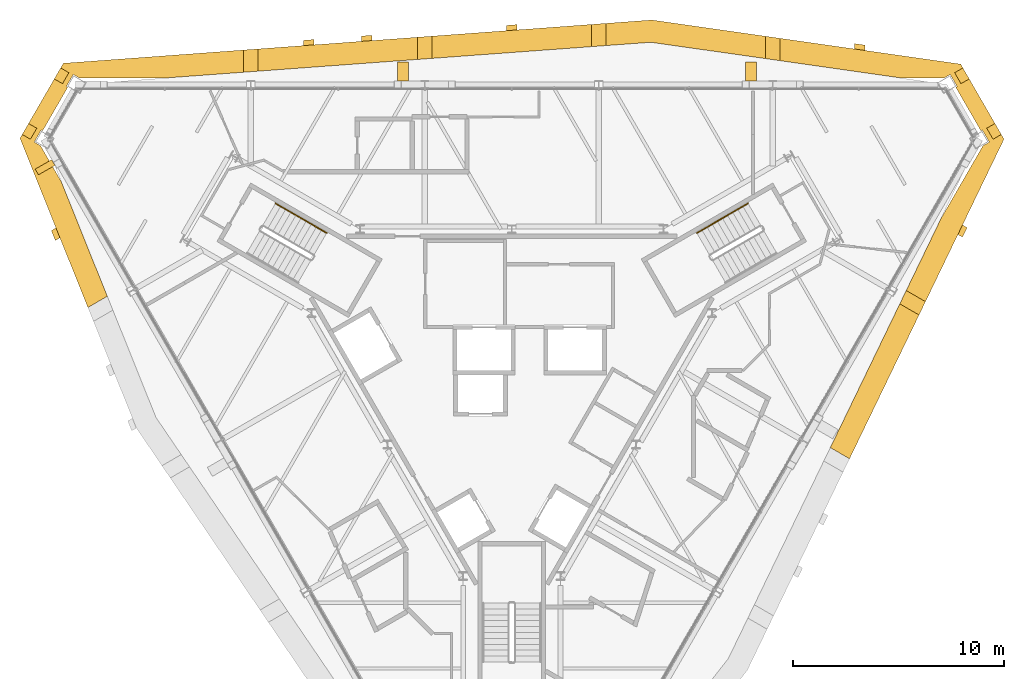
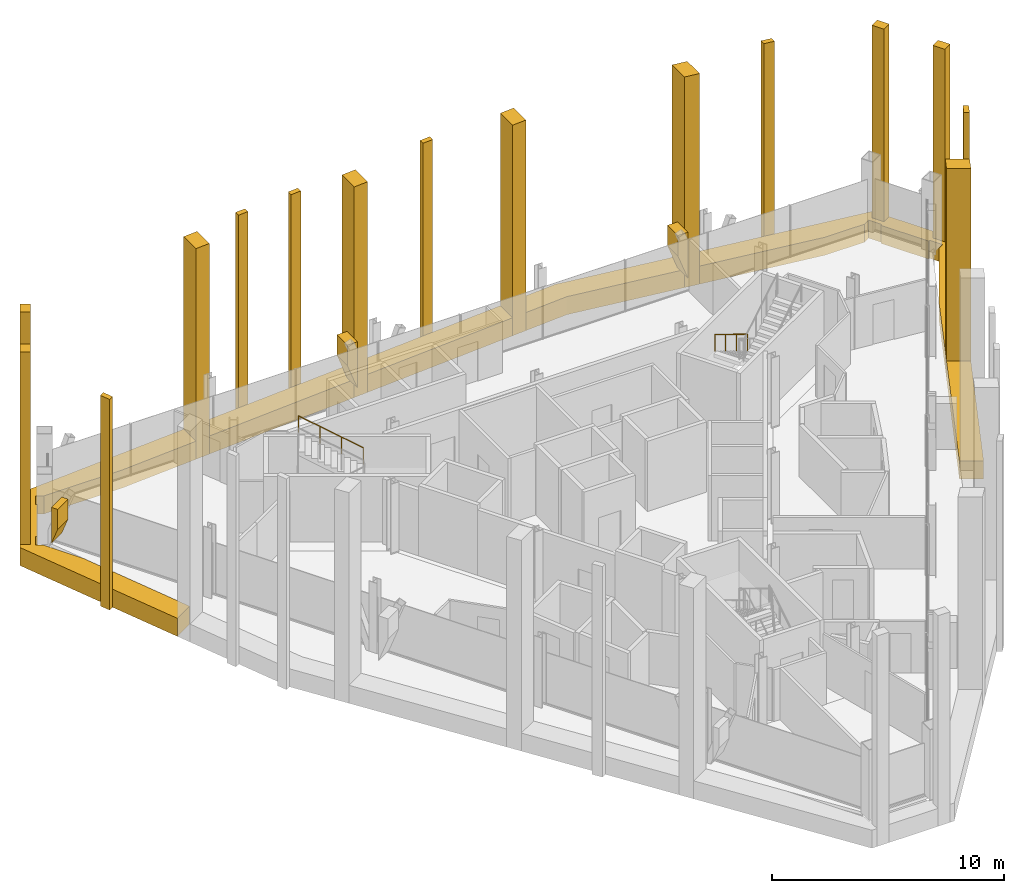
# One storey, part 12 of 12: 24 coverings, 2 railings.
"""IFC4 building model written with IfcOpenShell, lengths in metres."""

from ifc_helpers import new_model, si_unit, direction, frame, origin, origin_2d, place, context, subcontext, project, spatial, polyline, circle, outline, extrude, material, layer, layer_set, type_object, element, save


model = new_model("IFC4")

# Units and contexts
model_context = context("Model", 3, precision=1e-05, world=origin(), true_north=direction((0.0, 1.0)))
body_context = subcontext(model_context, "Body", "Model", "MODEL_VIEW")
ifc_project = project(units=[si_unit("LENGTHUNIT", "METRE"), si_unit("AREAUNIT", "SQUARE_METRE"), si_unit("VOLUMEUNIT", "CUBIC_METRE"), si_unit("PLANEANGLEUNIT", "RADIAN"), si_unit("MASSUNIT", "GRAM", prefix="KILO")], contexts=[model_context])

# Site, building, storey
site_placement = place(None, origin())
site = spatial("IfcSite", under=ifc_project, at=site_placement, CompositionType="ELEMENT")
building_placement = place(site_placement, origin())
building = spatial("IfcBuilding", under=site, at=building_placement, Name="Verrane Prism Tower", CompositionType="ELEMENT")
storey_placement = place(building_placement, frame((0.0, 0.0, 264.0)))
storey = spatial("IfcBuildingStorey", under=building, at=storey_placement, Name="L66", CompositionType="ELEMENT", Elevation=264.0)

# Railings
ifc_material_1 = material(Name="Steel A36 tube", Category="steel")
railing_type = type_object("IfcRailingType", Name="Stair handrail 900 steel tube", PredefinedType="HANDRAIL", material=ifc_material_1)
railing_1_placement = place(storey_placement, frame((11.189453125, 8.01904296875, 0.168212890625)))
element("IfcRailing", 1, at=railing_1_placement, inside=storey, type_object=railing_type, Name="Stair 1 handrail", PredefinedType="HANDRAIL", context=body_context, shape_type="SweptSolid", body=[
    extrude(circle(Radius=0.02392578125, at=origin_2d()), frame((0.0, 0.0, 0.8759765625), z_axis=(-0.742390482028, -0.42860119049, 0.514934356695), x_axis=(0.49998411664, -0.866034573852, 0.0)), (0.0, 0.0, 1.0), 3.26611328125),
    extrude(circle(Radius=0.02099609375, at=origin_2d()), origin(), (0.0, 0.0, 1.0), 0.851806640625),
    extrude(circle(Radius=0.02099609375, at=origin_2d()), frame((-0.808349609375, -0.466552734375, 0.560546875)), (0.0, 0.0, 1.0), 0.851806640625),
    extrude(circle(Radius=0.02099609375, at=origin_2d()), frame((-1.616455078125, -0.933349609375, 1.121337890625)), (0.0, 0.0, 1.0), 0.851806640625),
    extrude(circle(Radius=0.02099609375, at=origin_2d()), frame((-2.4248046875, -1.39990234375, 1.681884765625)), (0.0, 0.0, 1.0), 0.851806640625),
])
railing_2_placement = place(storey_placement, frame((-8.7646484375, 6.619140625, 2.01806640625)))
element("IfcRailing", 2, at=railing_2_placement, inside=storey, type_object=railing_type, Name="Stair 2 handrail", PredefinedType="HANDRAIL", context=body_context, shape_type="SweptSolid", body=[
    extrude(circle(Radius=0.02392578125, at=origin_2d()), frame((0.0, 0.0, 0.8759765625), z_axis=(-0.742390482028, 0.42860119049, 0.514934356695), x_axis=(-0.49998411664, -0.866034573852, 0.0)), (0.0, 0.0, 1.0), 3.26611328125),
    extrude(circle(Radius=0.02099609375, at=origin_2d()), origin(), (0.0, 0.0, 1.0), 0.851806640625),
    extrude(circle(Radius=0.02099609375, at=origin_2d()), frame((-0.808349609375, 0.466552734375, 0.560546875)), (0.0, 0.0, 1.0), 0.851806640625),
    extrude(circle(Radius=0.02099609375, at=origin_2d()), frame((-1.616455078125, 0.933349609375, 1.121337890625)), (0.0, 0.0, 1.0), 0.851806640625),
    extrude(circle(Radius=0.02099609375, at=origin_2d()), frame((-2.4248046875, 1.39990234375, 1.681884765625)), (0.0, 0.0, 1.0), 0.851806640625),
])

# Coverings
ifc_material_2 = material(Name="Warm limestone cladding", Category="masonry")
ifc_layer_1 = layer(ifc_material_2, 0.89990234375)
ifc_layer_set_1 = layer_set([ifc_layer_1], Name="Stone brace fin 900")
covering_type_1 = type_object("IfcCoveringType", Name="Stone brace fin 900", PredefinedType="CLADDING", material=ifc_layer_set_1)
for number, where, z_axis, x_axis, name in (
    (3, (11.5869140625, 14.27783203125, 0.32080078125), (0.0, 0.0, 1.0), (-1.0, 0.0, 0.0), "Stone brace fin N2 L66"),
    (4, (-4.89306640625, 14.27783203125, 0.32080078125), (0.0, 0.0, 1.0), (-1.0, 0.0, 0.0), "Stone brace fin N4 L66"),
):
    element("IfcCovering", number, at=place(storey_placement, frame(where, z_axis=z_axis, x_axis=x_axis)), inside=storey, type_object=covering_type_1, Name=name, PredefinedType="CLADDING", context=body_context, shape_type="SweptSolid", body=[
        extrude(outline(polyline([(0.5068359375, 2.42919921875), (0.0, 2.42919921875), (0.0, 0.0), (0.5068359375, 1.365478515625), (0.5068359375, 2.42919921875)])), frame((0.0, 0.449951171875, 0.0), z_axis=(0.0, -1.0, 0.0), x_axis=(1.0, 0.0, 0.0)), (0.0, 0.0, 1.0), 0.89990234375),
    ])
covering_1_placement = place(storey_placement, frame((-22.1796875, 9.867431640625, 0.846435546875), z_axis=(0.0, 0.0, 1.0), x_axis=(0.499338456923, -0.866407009112, 0.0)))
element("IfcCovering", 5, at=covering_1_placement, inside=storey, type_object=covering_type_1, Name="Stone brace fin SW1 L66", PredefinedType="CLADDING", context=body_context, shape_type="SweptSolid", body=[
    extrude(outline(polyline([(0.31201171875, 1.903564453125), (0.0, 1.903564453125), (0.0, 0.0), (0.31201171875, 0.84033203125), (0.31201171875, 1.903564453125)])), frame((0.0, 0.449951171875, 0.0), z_axis=(0.0, -1.0, 0.0), x_axis=(1.0, 0.0, 0.0)), (0.0, 0.0, 1.0), 0.89990234375),
])
ifc_material_3 = material(Name="Warm limestone cladding", Category="masonry")
covering_type_2 = type_object("IfcCoveringType", Name="Stone corner pier 600", PredefinedType="CLADDING", material=ifc_material_3)
covering_2_placement = place(storey_placement, frame((0.0, 0.0, -0.949951171875)))
element("IfcCovering", 6, at=covering_2_placement, inside=storey, type_object=covering_type_2, Name="Stone pier MC-NE.a L66-L68", PredefinedType="CLADDING", context=body_context, shape_type="SweptSolid", body=[
    extrude(outline(polyline([(22.4931640625, 11.578857421875), (22.5087890625, 11.5517578125), (22.793212890625, 11.05908203125), (23.182861328125, 11.2841796875), (22.8828125, 11.8037109375), (22.4931640625, 11.578857421875)])), origin(), (0.0, 0.0, 1.0), 11.099853515625),
])
covering_3_placement = place(storey_placement, frame((0.0, 0.0, -0.949951171875)))
element("IfcCovering", 7, at=covering_3_placement, inside=storey, type_object=covering_type_2, Name="Stone pier MC-NE.b L66-L68", PredefinedType="CLADDING", context=body_context, shape_type="SweptSolid", body=[
    extrude(outline(polyline([(20.97412109375, 14.209716796875), (20.98974609375, 14.182861328125), (21.274169921875, 13.690185546875), (21.663818359375, 13.915283203125), (21.36376953125, 14.434814453125), (20.97412109375, 14.209716796875)])), origin(), (0.0, 0.0, 1.0), 11.099853515625),
])
covering_4_placement = place(storey_placement, frame((0.0, 0.0, -0.949951171875)))
element("IfcCovering", 8, at=covering_4_placement, inside=storey, type_object=covering_type_2, Name="Stone pier MC-NW.a L66-L68", PredefinedType="CLADDING", context=body_context, shape_type="SweptSolid", body=[
    extrude(outline(polyline([(-21.274169921875, 13.690185546875), (-20.97412109375, 14.209716796875), (-21.36376953125, 14.434814453125), (-21.663818359375, 13.915283203125), (-21.274169921875, 13.690185546875)])), origin(), (0.0, 0.0, 1.0), 11.099853515625),
])
covering_5_placement = place(storey_placement, frame((0.0, 0.0, -0.949951171875)))
element("IfcCovering", 9, at=covering_5_placement, inside=storey, type_object=covering_type_2, Name="Stone pier MC-NW.b L66-L68", PredefinedType="CLADDING", context=body_context, shape_type="SweptSolid", body=[
    extrude(outline(polyline([(-22.793212890625, 11.05908203125), (-22.4931640625, 11.578857421875), (-22.8828125, 11.8037109375), (-23.182861328125, 11.2841796875), (-22.793212890625, 11.05908203125)])), origin(), (0.0, 0.0, 1.0), 11.099853515625),
])
ifc_material_4 = material(Name="Warm limestone cladding", Category="masonry")
covering_type_3 = type_object("IfcCoveringType", Name="Stone mullion pier 500", PredefinedType="CLADDING", material=ifc_material_4)
covering_6_placement = place(storey_placement, frame((0.0, 0.0, -0.949951171875)))
element("IfcCovering", 10, at=covering_6_placement, inside=storey, type_object=covering_type_3, Name="Stone pier SM-N0.1 L66-L68", PredefinedType="CLADDING", context=body_context, shape_type="SweptSolid", body=[
    extrude(outline(polyline([(16.233642578125, 15.334716796875), (16.733642578125, 15.26318359375), (16.733642578125, 15.515625), (16.233642578125, 15.587158203125), (16.233642578125, 15.334716796875)])), origin(), (0.0, 0.0, 1.0), 11.099853515625),
])
covering_7_placement = place(storey_placement, frame((0.0, 0.0, -0.949951171875)))
element("IfcCovering", 11, at=covering_7_placement, inside=storey, type_object=covering_type_3, Name="Stone pier SM-N2.1 L66-L68", PredefinedType="CLADDING", context=body_context, shape_type="SweptSolid", body=[
    extrude(outline(polyline([(-0.25, 16.19970703125), (0.25, 16.236328125), (0.25, 16.487060546875), (-0.25, 16.4501953125), (-0.25, 16.19970703125)])), origin(), (0.0, 0.0, 1.0), 11.099853515625),
])
covering_8_placement = place(storey_placement, frame((0.0, 0.0, -0.949951171875)))
element("IfcCovering", 12, at=covering_8_placement, inside=storey, type_object=covering_type_3, Name="Stone pier SM-N3.1 L66-L68", PredefinedType="CLADDING", context=body_context, shape_type="SweptSolid", body=[
    extrude(outline(polyline([(-7.1181640625, 15.694580078125), (-6.6181640625, 15.731201171875), (-6.6181640625, 15.98193359375), (-7.1181640625, 15.9453125), (-7.1181640625, 15.694580078125)])), origin(), (0.0, 0.0, 1.0), 11.099853515625),
])
covering_9_placement = place(storey_placement, frame((0.0, 0.0, -0.949951171875)))
element("IfcCovering", 13, at=covering_9_placement, inside=storey, type_object=covering_type_3, Name="Stone pier SM-N3.2 L66-L68", PredefinedType="CLADDING", context=body_context, shape_type="SweptSolid", body=[
    extrude(outline(polyline([(-9.865478515625, 15.492431640625), (-9.365478515625, 15.529296875), (-9.365478515625, 15.780029296875), (-9.865478515625, 15.7431640625), (-9.865478515625, 15.492431640625)])), origin(), (0.0, 0.0, 1.0), 11.099853515625),
])
covering_10_placement = place(storey_placement, frame((0.0, 0.0, -0.949951171875)))
element("IfcCovering", 14, at=covering_10_placement, inside=storey, type_object=covering_type_3, Name="Stone pier SM-SW0.1 L66-L68", PredefinedType="CLADDING", context=body_context, shape_type="SweptSolid", body=[
    extrude(outline(polyline([(-21.39697265625, 6.391357421875), (-21.585205078125, 6.860107421875), (-21.8037109375, 6.73388671875), (-21.615478515625, 6.26513671875), (-21.39697265625, 6.391357421875)])), origin(), (0.0, 0.0, 1.0), 11.099853515625),
])
covering_11_placement = place(storey_placement, frame((0.0, 0.0, -0.949951171875)))
element("IfcCovering", 15, at=covering_11_placement, inside=storey, type_object=covering_type_3, Name="Stone pier SM-SE4.1 L66-L68", PredefinedType="CLADDING", context=body_context, shape_type="SweptSolid", body=[
    extrude(outline(polyline([(21.346435546875, 6.998046875), (21.128173828125, 6.546630859375), (21.34521484375, 6.42138671875), (21.5634765625, 6.87255859375), (21.346435546875, 6.998046875)])), origin(), (0.0, 0.0, 1.0), 11.099853515625),
])
ifc_material_5 = material(Name="Warm limestone cladding", Category="masonry")
covering_type_4 = type_object("IfcCoveringType", Name="Stone pier 700", PredefinedType="CLADDING", material=ifc_material_5)
covering_12_placement = place(storey_placement, frame((0.0, 0.0, -0.949951171875)))
element("IfcCovering", 16, at=covering_12_placement, inside=storey, type_object=covering_type_4, Name="Stone pier PC-N1 L66-L68", PredefinedType="CLADDING", context=body_context, shape_type="SweptSolid", body=[
    extrude(outline(polyline([(12.0126953125, 15.93701171875), (12.0126953125, 14.87646484375), (12.712646484375, 14.776611328125), (12.712646484375, 15.837158203125), (12.0126953125, 15.93701171875)])), origin(), (0.0, 0.0, 1.0), 11.099853515625),
])
covering_13_placement = place(storey_placement, frame((0.0, 0.0, -0.949951171875)))
element("IfcCovering", 17, at=covering_13_placement, inside=storey, type_object=covering_type_4, Name="Stone pier PC-N2 L66-L68", PredefinedType="CLADDING", context=body_context, shape_type="SweptSolid", body=[
    extrude(outline(polyline([(3.77099609375, 16.495361328125), (3.77099609375, 15.4423828125), (4.470947265625, 15.493896484375), (4.470947265625, 16.546875), (3.77099609375, 16.495361328125)])), origin(), (0.0, 0.0, 1.0), 11.099853515625),
])
covering_14_placement = place(storey_placement, frame((0.0, 0.0, -0.949951171875)))
element("IfcCovering", 18, at=covering_14_placement, inside=storey, type_object=covering_type_4, Name="Stone pier PC-N3 L66-L68", PredefinedType="CLADDING", context=body_context, shape_type="SweptSolid", body=[
    extrude(outline(polyline([(-4.470947265625, 15.88916015625), (-4.470947265625, 14.83642578125), (-3.77099609375, 14.887939453125), (-3.77099609375, 15.940673828125), (-4.470947265625, 15.88916015625)])), origin(), (0.0, 0.0, 1.0), 11.099853515625),
])
covering_15_placement = place(storey_placement, frame((0.0, 0.0, -0.949951171875)))
element("IfcCovering", 19, at=covering_15_placement, inside=storey, type_object=covering_type_4, Name="Stone pier PC-N4 L66-L68", PredefinedType="CLADDING", context=body_context, shape_type="SweptSolid", body=[
    extrude(outline(polyline([(-12.712646484375, 15.283203125), (-12.712646484375, 14.230224609375), (-12.0126953125, 14.28173828125), (-12.0126953125, 15.334716796875), (-12.712646484375, 15.283203125)])), origin(), (0.0, 0.0, 1.0), 11.099853515625),
])
covering_16_placement = place(storey_placement, frame((0.0, 0.0, -0.949951171875)))
element("IfcCovering", 20, at=covering_16_placement, inside=storey, type_object=covering_type_4, Name="Stone pier PC-SE4 L66-L68", PredefinedType="CLADDING", context=body_context, shape_type="SweptSolid", body=[
    extrude(outline(polyline([(19.592041015625, 3.367919921875), (18.68017578125, 3.894287109375), (18.374755859375, 3.262451171875), (19.28662109375, 2.736083984375), (19.592041015625, 3.367919921875)])), origin(), (0.0, 0.0, 1.0), 11.099853515625),
])
ifc_material_6 = material(Name="Warm limestone cladding", Category="masonry")
ifc_layer_2 = layer(ifc_material_6, 0.449951171875)
ifc_layer_set_2 = layer_set([ifc_layer_2], Name="Stone spandrel band 450")
covering_type_5 = type_object("IfcCoveringType", Name="Stone spandrel band 450", PredefinedType="CLADDING", material=ifc_layer_set_2)
covering_17_placement = place(storey_placement, frame((0.0, 0.0, -0.949951171875)))
element("IfcCovering", 21, at=covering_17_placement, inside=storey, type_object=covering_type_5, Name="Stone spandrel band L66 part 2", PredefinedType="CLADDING", context=body_context, shape_type="SweptSolid", body=[
    extrude(outline(polyline([(12.712646484375, 14.776611328125), (18.502685546875, 13.949951171875), (20.459716796875, 13.949951171875), (20.76416015625, 14.125732421875), (21.093994140625, 13.55419921875), (21.0283203125, 13.51611328125), (22.217041015625, 11.45703125), (22.2841796875, 11.495849609375), (22.614013671875, 10.92431640625), (22.315673828125, 10.751953125), (20.343505859375, 7.3359375), (18.68017578125, 3.894287109375), (19.592041015625, 3.367919921875), (23.310791015625, 11.0625), (23.182861328125, 11.2841796875), (22.793212890625, 11.05908203125), (22.4931640625, 11.578857421875), (22.8828125, 11.8037109375), (21.663818359375, 13.915283203125), (21.274169921875, 13.690185546875), (20.97412109375, 14.209716796875), (21.36376953125, 14.434814453125), (21.258544921875, 14.6171875), (12.712646484375, 15.837158203125), (12.712646484375, 14.776611328125)])), origin(), (0.0, 0.0, 1.0), 0.949951171875),
])
covering_18_placement = place(storey_placement, frame((0.0, 0.0, -0.949951171875)))
element("IfcCovering", 22, at=covering_18_placement, inside=storey, type_object=covering_type_5, Name="Stone spandrel band L66 part 3", PredefinedType="CLADDING", context=body_context, shape_type="SweptSolid", body=[
    extrude(outline(polyline([(-19.1533203125, 3.621337890625), (-21.33251953125, 9.048828125), (-22.315673828125, 10.751953125), (-22.614013671875, 10.92431640625), (-22.2841796875, 11.495849609375), (-22.217041015625, 11.45703125), (-21.0283203125, 13.51611328125), (-21.093994140625, 13.55419921875), (-20.76416015625, 14.125732421875), (-20.459716796875, 13.949951171875), (-16.52490234375, 13.949951171875), (-12.712646484375, 14.230224609375), (-12.712646484375, 15.283203125), (-21.23583984375, 14.656494140625), (-21.36376953125, 14.434814453125), (-20.97412109375, 14.209716796875), (-21.274169921875, 13.690185546875), (-21.663818359375, 13.915283203125), (-22.8828125, 11.8037109375), (-22.4931640625, 11.578857421875), (-22.793212890625, 11.05908203125), (-23.182861328125, 11.2841796875), (-23.2880859375, 11.101806640625), (-20.07177734375, 3.0908203125), (-19.1533203125, 3.621337890625)])), origin(), (0.0, 0.0, 1.0), 0.949951171875),
])
covering_19_placement = place(storey_placement, frame((0.0, 0.0, -0.949951171875)))
element("IfcCovering", 23, at=covering_19_placement, inside=storey, type_object=covering_type_5, Name="Stone spandrel band L66 part 6", PredefinedType="CLADDING", context=body_context, shape_type="SweptSolid", body=[
    extrude(outline(polyline([(4.470947265625, 16.546875), (4.470947265625, 15.493896484375), (6.593505859375, 15.64990234375), (12.0126953125, 14.87646484375), (12.0126953125, 15.93701171875), (6.62939453125, 16.70556640625), (4.470947265625, 16.546875)])), origin(), (0.0, 0.0, 1.0), 0.949951171875),
])
covering_20_placement = place(storey_placement, frame((0.0, 0.0, -0.949951171875)))
element("IfcCovering", 24, at=covering_20_placement, inside=storey, type_object=covering_type_5, Name="Stone spandrel band L66 part 10", PredefinedType="CLADDING", context=body_context, shape_type="SweptSolid", body=[
    extrude(outline(polyline([(19.28662109375, 2.736083984375), (18.374755859375, 3.262451171875), (15.084228515625, -3.54638671875), (15.995849609375, -4.07275390625), (19.28662109375, 2.736083984375)])), origin(), (0.0, 0.0, 1.0), 0.949951171875),
])
covering_21_placement = place(storey_placement, frame((0.0, 0.0, -0.949951171875)))
element("IfcCovering", 25, at=covering_21_placement, inside=storey, type_object=covering_type_5, Name="Stone spandrel band L66 part 11", PredefinedType="CLADDING", context=body_context, shape_type="SweptSolid", body=[
    extrude(outline(polyline([(-3.77099609375, 14.887939453125), (3.77099609375, 15.4423828125), (3.77099609375, 16.495361328125), (-3.77099609375, 15.940673828125), (-3.77099609375, 14.887939453125)])), origin(), (0.0, 0.0, 1.0), 0.949951171875),
])
covering_22_placement = place(storey_placement, frame((0.0, 0.0, -0.949951171875)))
element("IfcCovering", 26, at=covering_22_placement, inside=storey, type_object=covering_type_5, Name="Stone spandrel band L66 part 12", PredefinedType="CLADDING", context=body_context, shape_type="SweptSolid", body=[
    extrude(outline(polyline([(-12.0126953125, 14.28173828125), (-4.470947265625, 14.83642578125), (-4.470947265625, 15.88916015625), (-12.0126953125, 15.334716796875), (-12.0126953125, 14.28173828125)])), origin(), (0.0, 0.0, 1.0), 0.949951171875),
])

save(model, "model.ifc")
